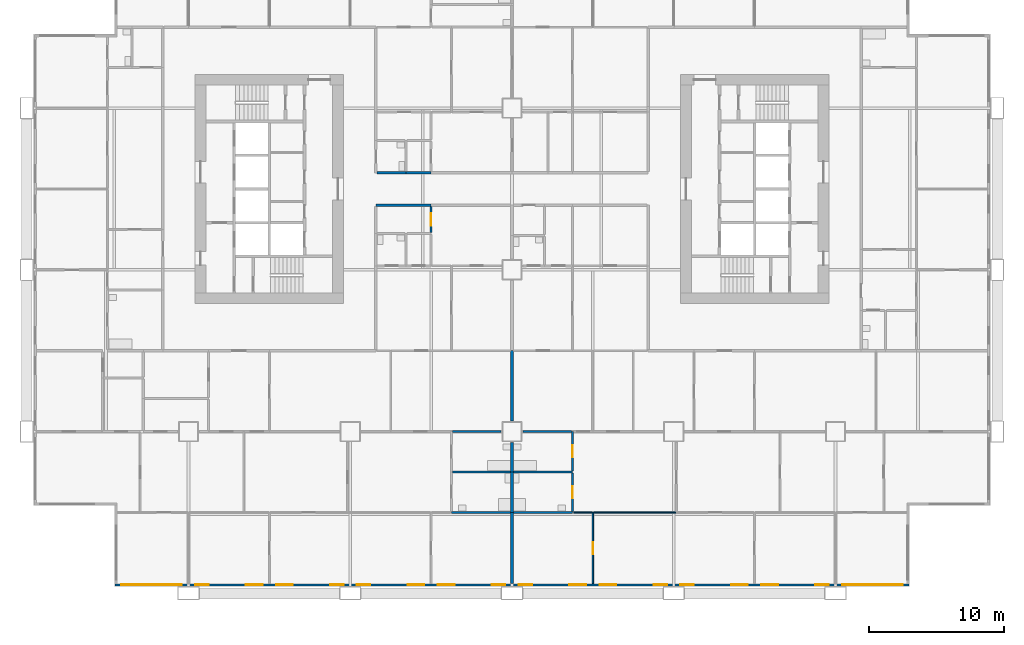
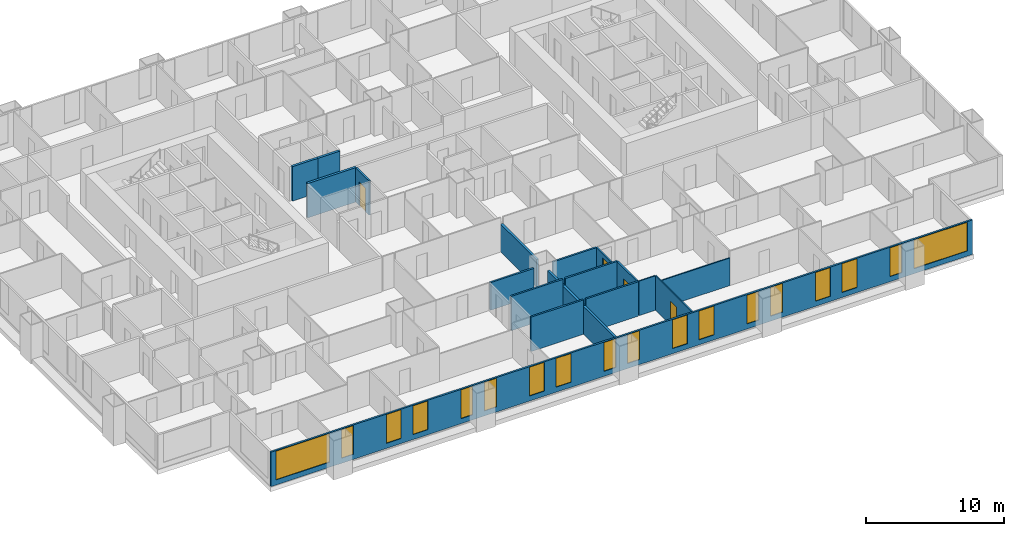
# One storey, part 5 of 14: 20 walls, 18 windows, 4 doors, 22 openings.
"""IFC4 building model written with IfcOpenShell, lengths in metres."""

from ifc_helpers import new_model, si_unit, direction, frame, frame_2d, origin, place, context, subcontext, project, spatial, rectangle, extrude, material, layer, layer_set, type_object, element, fill, save


model = new_model("IFC4")

# Units and contexts
model_context = context("Model", 3, precision=1e-05, world=origin(), true_north=direction((0.0, 1.0)))
body_context = subcontext(model_context, "Body", "Model", "MODEL_VIEW")
ifc_project = project(units=[si_unit("LENGTHUNIT", "METRE"), si_unit("AREAUNIT", "SQUARE_METRE"), si_unit("VOLUMEUNIT", "CUBIC_METRE"), si_unit("PLANEANGLEUNIT", "RADIAN"), si_unit("MASSUNIT", "GRAM", prefix="KILO")], contexts=[model_context])

# Site, building, storey
site_placement = place(None, origin())
site = spatial("IfcSite", under=ifc_project, at=site_placement, CompositionType="ELEMENT")
building_placement = place(site_placement, origin())
building = spatial("IfcBuilding", under=site, at=building_placement, Name="Kitamizu Gate Tower and Museum", CompositionType="ELEMENT")
storey_placement = place(building_placement, frame((0.0, 0.0, 64.5)))
storey = spatial("IfcBuildingStorey", under=building, at=storey_placement, Name="L15", CompositionType="ELEMENT", Elevation=64.5)

# Wall, opening, door
ifc_material_1 = material(Name="Gypsum board on galvanised stud")
ifc_layer_1 = layer(ifc_material_1, 0.10009765625)
ifc_layer_set_1 = layer_set([ifc_layer_1], Name="Gypsum board on galvanised stud")
wall_type_1 = type_object("IfcWallType", Name="Partition 100 NOT RATED", PredefinedType="PARTITIONING", material=ifc_layer_set_1)
wall_1_placement = place(storey_placement, frame((42.0, 0.719970703125, 0.0), z_axis=(0.0, 0.0, 1.0), x_axis=(0.0, 1.0, 0.0)))
wall_1 = element("IfcWall", 1, at=wall_1_placement, inside=storey, type_object=wall_type_1, Name="Partition L15-071", PredefinedType="PARTITIONING", context=body_context, shape_type="SweptSolid", body=[
    extrude(rectangle(XDim=5.280029296875, YDim=0.10009765625, at=frame_2d((2.64013671875, 0.0))), origin(), (0.0, 0.0, 1.0), 3.050048828125),
])
opening_1_placement = place(wall_1_placement, frame((2.18994140625, 0.0, 0.0)))
opening_1 = element("IfcOpeningElement", 2, at=opening_1_placement, cuts=wall_1, Name="Opening L15-032", PredefinedType="OPENING", context=body_context, shape_type="SweptSolid", body=[
    extrude(rectangle(XDim=0.89990234375, YDim=2.10009765625, at=frame_2d((0.449951171875, 1.050048828125))), frame((0.0, 0.06005859375, 0.0), z_axis=(0.0, -1.0, 0.0), x_axis=(1.0, 0.0, 0.0)), (0.0, 0.0, 1.0), 0.1201171875),
])
ifc_material_2 = material(Name="Timber door set", Category="wood")
door_type_1 = type_object("IfcDoorType", Name="Room door 900", OperationType="NOTDEFINED", PredefinedType="DOOR", material=ifc_material_2)
door_1_placement = place(opening_1_placement, origin())
door_1 = element("IfcDoor", 3, at=door_1_placement, inside=storey, type_object=door_type_1, Name="Door L15-032", OperationType="SINGLE_SWING_LEFT", OverallHeight=2.10009765625, OverallWidth=0.89990234375, PredefinedType="DOOR", context=body_context, shape_type="SweptSolid", body=[
    extrude(rectangle(XDim=0.89990234375, YDim=2.10009765625, at=frame_2d((0.449951171875, 1.050048828125))), frame((0.0, 0.02490234375, 0.0), z_axis=(0.0, -1.0, 0.0), x_axis=(1.0, 0.0, 0.0)), (0.0, 0.0, 1.0), 0.050048828125),
])
fill(opening_1, door_1)

# Walls
wall_2_placement = place(storey_placement, frame((41.949951171875, 6.0, 0.0), z_axis=(0.0, 0.0, 1.0), x_axis=(-1.0, 0.0, 0.0)))
element("IfcWall", 4, at=wall_2_placement, inside=storey, type_object=wall_type_1, Name="Partition L15-073", PredefinedType="PARTITIONING", context=body_context, shape_type="SweptSolid", body=[
    extrude(rectangle(XDim=1.375, YDim=0.10009765625, at=frame_2d((0.6875, 0.0))), origin(), (0.0, 0.0, 1.0), 3.050048828125),
])
wall_3_placement = place(storey_placement, frame((48.195068359375, 6.0, 0.0), z_axis=(0.0, 0.0, 1.0), x_axis=(-1.0, 0.0, 0.0)))
element("IfcWall", 5, at=wall_3_placement, inside=storey, type_object=wall_type_1, Name="Partition L15-075", PredefinedType="PARTITIONING", context=body_context, shape_type="SweptSolid", body=[
    extrude(rectangle(XDim=6.14501953125, YDim=0.10009765625, at=frame_2d((3.072509765625, 0.0))), origin(), (0.0, 0.0, 1.0), 2.449951171875),
])
ifc_material_3 = material(Name="Gypsum board on galvanised stud")
ifc_layer_2 = layer(ifc_material_3, 0.14990234375)
ifc_layer_set_2 = layer_set([ifc_layer_2], Name="Gypsum board on galvanised stud")
wall_type_2 = type_object("IfcWallType", Name="Partition 150", PredefinedType="PARTITIONING", material=ifc_layer_set_2)
wall_4_placement = place(storey_placement, frame((35.89990234375, 6.0, 0.0), z_axis=(0.0, 0.0, 1.0), x_axis=(-1.0, 0.0, 0.0)))
element("IfcWall", 6, at=wall_4_placement, inside=storey, type_object=wall_type_2, Name="Partition L15-011", PredefinedType="PARTITIONING", context=body_context, shape_type="SweptSolid", body=[
    extrude(rectangle(XDim=4.39990234375, YDim=0.14990234375, at=frame_2d((2.199951171875, 0.0))), origin(), (0.0, 0.0, 1.0), 3.050048828125),
])
wall_5_placement = place(storey_placement, frame((35.89990234375, 9.0, 0.0), z_axis=(0.0, 0.0, 1.0), x_axis=(-1.0, 0.0, 0.0)))
element("IfcWall", 7, at=wall_5_placement, inside=storey, type_object=wall_type_2, Name="Partition L15-027", PredefinedType="PARTITIONING", context=body_context, shape_type="SweptSolid", body=[
    extrude(rectangle(XDim=4.324951171875, YDim=0.14990234375, at=frame_2d((2.16259765625, 0.0))), origin(), (0.0, 0.0, 1.0), 3.050048828125),
])
wall_6_placement = place(storey_placement, frame((35.199951171875, 12.0, 0.0), z_axis=(0.0, 0.0, 1.0), x_axis=(-1.0, 0.0, 0.0)))
element("IfcWall", 8, at=wall_6_placement, inside=storey, type_object=wall_type_2, Name="Partition L15-029", PredefinedType="PARTITIONING", context=body_context, shape_type="SweptSolid", body=[
    extrude(rectangle(XDim=3.625, YDim=0.14990234375, at=frame_2d((1.8125, 0.0))), origin(), (0.0, 0.0, 1.0), 2.449951171875),
])

# Wall, opening, door
wall_7_placement = place(storey_placement, frame((30.0, 26.77490234375, 0.0), z_axis=(0.0, 0.0, 1.0), x_axis=(0.0, 1.0, 0.0)))
wall_7 = element("IfcWall", 9, at=wall_7_placement, inside=storey, type_object=wall_type_2, Name="Partition L15-065", PredefinedType="PARTITIONING", context=body_context, shape_type="SweptSolid", body=[
    extrude(rectangle(XDim=1.925048828125, YDim=0.14990234375, at=frame_2d((0.96240234375, 0.0))), origin(), (0.0, 0.0, 1.0), 3.050048828125),
])
opening_2_placement = place(wall_7_placement, frame((0.512451171875, 0.0, 0.0)))
opening_2 = element("IfcOpeningElement", 10, at=opening_2_placement, cuts=wall_7, Name="Opening L15-024", PredefinedType="OPENING", context=body_context, shape_type="SweptSolid", body=[
    extrude(rectangle(XDim=0.89990234375, YDim=2.10009765625, at=frame_2d((0.449951171875, 1.050048828125))), frame((0.0, 0.0849609375, 0.0), z_axis=(0.0, -1.0, 0.0), x_axis=(1.0, 0.0, 0.0)), (0.0, 0.0, 1.0), 0.169921875),
])
ifc_material_4 = material(Name="Timber door set", Category="wood")
door_type_2 = type_object("IfcDoorType", Name="Bathroom door 900", OperationType="NOTDEFINED", PredefinedType="DOOR", material=ifc_material_4)
door_2_placement = place(opening_2_placement, origin())
door_2 = element("IfcDoor", 11, at=door_2_placement, inside=storey, type_object=door_type_2, Name="Bathroom door L15-024", OperationType="SINGLE_SWING_LEFT", OverallHeight=2.10009765625, OverallWidth=0.89990234375, PredefinedType="DOOR", context=body_context, shape_type="SweptSolid", body=[
    extrude(rectangle(XDim=0.89990234375, YDim=2.10009765625, at=frame_2d((0.449951171875, 1.050048828125))), frame((0.0, 0.02490234375, 0.0), z_axis=(0.0, -1.0, 0.0), x_axis=(1.0, 0.0, 0.0)), (0.0, 0.0, 1.0), 0.050048828125),
])
fill(opening_2, door_2)

# Walls
for number, where, z_axis, x_axis, name in (
    (12, (40.5, 6.0, 0.0), (0.0, 0.0, 1.0), (-1.0, 0.0, 0.0), "Partition L15-072"),
    (13, (40.5, 9.0, 0.0), (0.0, 0.0, 1.0), (-1.0, 0.0, 0.0), "Partition L15-082"),
):
    element("IfcWall", number, at=place(storey_placement, frame(where, z_axis=z_axis, x_axis=x_axis)), inside=storey, type_object=wall_type_2, Name=name, PredefinedType="PARTITIONING", context=body_context, shape_type="SweptSolid", body=[
        extrude(rectangle(XDim=4.39990234375, YDim=0.14990234375, at=frame_2d((2.199951171875, 0.0))), origin(), (0.0, 0.0, 1.0), 3.050048828125),
    ])

# Wall, opening, door
wall_8_placement = place(storey_placement, frame((40.5, 6.074951171875, 0.0), z_axis=(0.0, 0.0, 1.0), x_axis=(0.0, 1.0, 0.0)))
wall_8 = element("IfcWall", 14, at=wall_8_placement, inside=storey, type_object=wall_type_2, Name="Partition L15-083", PredefinedType="PARTITIONING", context=body_context, shape_type="SweptSolid", body=[
    extrude(rectangle(XDim=2.85009765625, YDim=0.14990234375, at=frame_2d((1.425048828125, 0.0))), origin(), (0.0, 0.0, 1.0), 3.050048828125),
])
opening_3_placement = place(wall_8_placement, frame((0.97509765625, 0.0, 0.0)))
opening_3 = element("IfcOpeningElement", 15, at=opening_3_placement, cuts=wall_8, Name="Opening L15-031", PredefinedType="OPENING", context=body_context, shape_type="SweptSolid", body=[
    extrude(rectangle(XDim=0.89990234375, YDim=2.10009765625, at=frame_2d((0.449951171875, 1.050048828125))), frame((0.0, 0.0849609375, 0.0), z_axis=(0.0, -1.0, 0.0), x_axis=(1.0, 0.0, 0.0)), (0.0, 0.0, 1.0), 0.169921875),
])
door_3_placement = place(opening_3_placement, origin())
door_3 = element("IfcDoor", 16, at=door_3_placement, inside=storey, type_object=door_type_2, Name="Bathroom door L15-031", OperationType="SINGLE_SWING_RIGHT", OverallHeight=2.10009765625, OverallWidth=0.89990234375, PredefinedType="DOOR", context=body_context, shape_type="SweptSolid", body=[
    extrude(rectangle(XDim=0.89990234375, YDim=2.10009765625, at=frame_2d((0.449951171875, 1.050048828125))), frame((0.0, 0.02490234375, 0.0), z_axis=(0.0, -1.0, 0.0), x_axis=(1.0, 0.0, 0.0)), (0.0, 0.0, 1.0), 0.050048828125),
])
fill(opening_3, door_3)

wall_9_placement = place(storey_placement, frame((40.5, 9.074951171875, 0.0), z_axis=(0.0, 0.0, 1.0), x_axis=(0.0, 1.0, 0.0)))
wall_9 = element("IfcWall", 17, at=wall_9_placement, inside=storey, type_object=wall_type_2, Name="Partition L15-084", PredefinedType="PARTITIONING", context=body_context, shape_type="SweptSolid", body=[
    extrude(rectangle(XDim=2.925048828125, YDim=0.14990234375, at=frame_2d((1.46240234375, 0.0))), origin(), (0.0, 0.0, 1.0), 2.449951171875),
])
opening_4_placement = place(wall_9_placement, frame((1.012451171875, 0.0, 0.0)))
opening_4 = element("IfcOpeningElement", 18, at=opening_4_placement, cuts=wall_9, Name="Opening L15-035", PredefinedType="OPENING", context=body_context, shape_type="SweptSolid", body=[
    extrude(rectangle(XDim=0.89990234375, YDim=2.10009765625, at=frame_2d((0.449951171875, 1.050048828125))), frame((0.0, 0.0849609375, 0.0), z_axis=(0.0, -1.0, 0.0), x_axis=(1.0, 0.0, 0.0)), (0.0, 0.0, 1.0), 0.169921875),
])
door_4_placement = place(opening_4_placement, origin())
door_4 = element("IfcDoor", 19, at=door_4_placement, inside=storey, type_object=door_type_2, Name="Bathroom door L15-035", OperationType="SINGLE_SWING_LEFT", OverallHeight=2.10009765625, OverallWidth=0.89990234375, PredefinedType="DOOR", context=body_context, shape_type="SweptSolid", body=[
    extrude(rectangle(XDim=0.89990234375, YDim=2.10009765625, at=frame_2d((0.449951171875, 1.050048828125))), frame((0.0, 0.02490234375, 0.0), z_axis=(0.0, -1.0, 0.0), x_axis=(1.0, 0.0, 0.0)), (0.0, 0.0, 1.0), 0.050048828125),
])
fill(opening_4, door_4)

# Walls
wall_10_placement = place(storey_placement, frame((40.425048828125, 12.0, 0.0), z_axis=(0.0, 0.0, 1.0), x_axis=(-1.0, 0.0, 0.0)))
element("IfcWall", 20, at=wall_10_placement, inside=storey, type_object=wall_type_2, Name="Partition L15-085", PredefinedType="PARTITIONING", context=body_context, shape_type="SweptSolid", body=[
    extrude(rectangle(XDim=3.625, YDim=0.14990234375, at=frame_2d((1.8125, 0.0))), origin(), (0.0, 0.0, 1.0), 2.449951171875),
])
ifc_material_5 = material(Name="Gypsum board on galvanised stud")
ifc_layer_3 = layer(ifc_material_5, 0.199951171875)
ifc_layer_set_3 = layer_set([ifc_layer_3], Name="Gypsum board on galvanised stud")
wall_type_3 = type_object("IfcWallType", Name="Partition 200", PredefinedType="PARTITIONING", material=ifc_layer_set_3)
wall_11_placement = place(storey_placement, frame((36.0, 0.719970703125, 0.0), z_axis=(0.0, 0.0, 1.0), x_axis=(0.0, 1.0, 0.0)))
element("IfcWall", 21, at=wall_11_placement, inside=storey, type_object=wall_type_3, Name="Partition L15-012", PredefinedType="PARTITIONING", context=body_context, shape_type="SweptSolid", body=[
    extrude(rectangle(XDim=5.280029296875, YDim=0.199951171875, at=frame_2d((2.64013671875, 0.0))), origin(), (0.0, 0.0, 1.0), 2.449951171875),
])
wall_12_placement = place(storey_placement, frame((36.0, 6.0, 0.0), z_axis=(0.0, 0.0, 1.0), x_axis=(0.0, 1.0, 0.0)))
element("IfcWall", 22, at=wall_12_placement, inside=storey, type_object=wall_type_3, Name="Partition L15-028", PredefinedType="PARTITIONING", context=body_context, shape_type="SweptSolid", body=[
    extrude(rectangle(XDim=3.0, YDim=0.199951171875, at=frame_2d((1.5, 0.0))), origin(), (0.0, 0.0, 1.0), 2.449951171875),
])
wall_13_placement = place(storey_placement, frame((36.0, 9.0, 0.0), z_axis=(0.0, 0.0, 1.0), x_axis=(0.0, 1.0, 0.0)))
element("IfcWall", 23, at=wall_13_placement, inside=storey, type_object=wall_type_3, Name="Partition L15-030", PredefinedType="PARTITIONING", context=body_context, shape_type="SweptSolid", body=[
    extrude(rectangle(XDim=2.199951171875, YDim=0.199951171875, at=frame_2d((1.10009765625, 0.0))), origin(), (0.0, 0.0, 1.0), 2.449951171875),
])
wall_14_placement = place(storey_placement, frame((36.0, 12.800048828125, 0.0), z_axis=(0.0, 0.0, 1.0), x_axis=(0.0, 1.0, 0.0)))
element("IfcWall", 24, at=wall_14_placement, inside=storey, type_object=wall_type_3, Name="Partition L15-051", PredefinedType="PARTITIONING", context=body_context, shape_type="SweptSolid", body=[
    extrude(rectangle(XDim=5.199951171875, YDim=0.199951171875, at=frame_2d((2.60009765625, 0.0))), origin(), (0.0, 0.0, 1.0), 2.449951171875),
])
wall_15_placement = place(storey_placement, frame((30.0, 28.800048828125, 0.0), z_axis=(0.0, 0.0, 1.0), x_axis=(-1.0, 0.0, 0.0)))
element("IfcWall", 25, at=wall_15_placement, inside=storey, type_object=wall_type_3, Name="Partition L15-066", PredefinedType="PARTITIONING", context=body_context, shape_type="SweptSolid", body=[
    extrude(rectangle(XDim=4.10009765625, YDim=0.199951171875, at=frame_2d((2.050048828125, 0.0))), origin(), (0.0, 0.0, 1.0), 3.050048828125),
])
wall_16_placement = place(storey_placement, frame((26.0, 31.199951171875, 0.0), z_axis=(0.0, 0.0, 1.0), x_axis=(1.0, 0.0, 0.0)))
element("IfcWall", 26, at=wall_16_placement, inside=storey, type_object=wall_type_3, Name="Partition L15-186", PredefinedType="PARTITIONING", context=body_context, shape_type="SweptSolid", body=[
    extrude(rectangle(XDim=2.14990234375, YDim=0.199951171875, at=frame_2d((1.074951171875, 0.0))), origin(), (0.0, 0.0, 1.0), 3.050048828125),
])
wall_17_placement = place(storey_placement, frame((28.14990234375, 31.199951171875, 0.0), z_axis=(0.0, 0.0, 1.0), x_axis=(1.0, 0.0, 0.0)))
element("IfcWall", 27, at=wall_17_placement, inside=storey, type_object=wall_type_3, Name="Partition L15-189", PredefinedType="PARTITIONING", context=body_context, shape_type="SweptSolid", body=[
    extrude(rectangle(XDim=1.85009765625, YDim=0.199951171875, at=frame_2d((0.925048828125, 0.0))), origin(), (0.0, 0.0, 1.0), 3.050048828125),
])

# Wall, openings, windows
ifc_material_6 = material(Name="Bronze anodised aluminium frame with insulated spandrel and tinted glass", Category="aluminium")
ifc_layer_4 = layer(ifc_material_6, 0.14990234375)
ifc_layer_set_4 = layer_set([ifc_layer_4], Name="Bronze anodised aluminium frame with insulated spandrel and tinted glass")
wall_type_4 = type_object("IfcWallType", Name="WINDOW WALL 150 BRONZE FRAME EI 30", PredefinedType="ELEMENTEDWALL", material=ifc_layer_set_4)
wall_18_placement = place(storey_placement, frame((6.56005859375, 0.635009765625, 0.0), z_axis=(0.0, 0.0, 1.0), x_axis=(1.0, 0.0, 0.0)))
wall_18 = element("IfcWall", 28, at=wall_18_placement, inside=storey, type_object=wall_type_4, Name="Window wall south L15", PredefinedType="ELEMENTEDWALL", context=body_context, shape_type="SweptSolid", body=[
    extrude(rectangle(XDim=58.8798828125, YDim=0.14990234375, at=frame_2d((29.43994140625, 0.0))), origin(), (0.0, 0.0, 1.0), 3.050048828125),
])
opening_5_placement = place(wall_18_placement, frame((0.43994140625, 0.0, 0.449951171875)))
opening_5 = element("IfcOpeningElement", 29, at=opening_5_placement, cuts=wall_18, Name="Opening W15", PredefinedType="OPENING", context=body_context, shape_type="SweptSolid", body=[
    extrude(rectangle(XDim=4.5, YDim=2.550048828125, at=frame_2d((2.25, 1.27490234375))), frame((0.0, 0.0849609375, 0.0), z_axis=(0.0, -1.0, 0.0), x_axis=(1.0, 0.0, 0.0)), (0.0, 0.0, 1.0), 0.169921875),
])
opening_6_placement = place(wall_18_placement, frame((5.93994140625, 0.0, 0.449951171875)))
opening_6 = element("IfcOpeningElement", 30, at=opening_6_placement, cuts=wall_18, Name="Opening W26", PredefinedType="OPENING", context=body_context, shape_type="SweptSolid", body=[
    extrude(rectangle(XDim=1.0, YDim=2.550048828125, at=frame_2d((0.5, 1.27490234375))), frame((0.0, 0.0849609375, 0.0), z_axis=(0.0, -1.0, 0.0), x_axis=(1.0, 0.0, 0.0)), (0.0, 0.0, 1.0), 0.169921875),
])
opening_7_placement = place(wall_18_placement, frame((9.68994140625, 0.0, 0.449951171875)))
opening_7 = element("IfcOpeningElement", 31, at=opening_7_placement, cuts=wall_18, Name="Opening W27", PredefinedType="OPENING", context=body_context, shape_type="SweptSolid", body=[
    extrude(rectangle(XDim=1.25, YDim=2.550048828125, at=frame_2d((0.625, 1.27490234375))), frame((0.0, 0.0849609375, 0.0), z_axis=(0.0, -1.0, 0.0), x_axis=(1.0, 0.0, 0.0)), (0.0, 0.0, 1.0), 0.169921875),
])
opening_8_placement = place(wall_18_placement, frame((11.93994140625, 0.0, 0.449951171875)))
opening_8 = element("IfcOpeningElement", 32, at=opening_8_placement, cuts=wall_18, Name="Opening W27", PredefinedType="OPENING", context=body_context, shape_type="SweptSolid", body=[
    extrude(rectangle(XDim=1.25, YDim=2.550048828125, at=frame_2d((0.625, 1.27490234375))), frame((0.0, 0.0849609375, 0.0), z_axis=(0.0, -1.0, 0.0), x_axis=(1.0, 0.0, 0.0)), (0.0, 0.0, 1.0), 0.169921875),
])
opening_9_placement = place(wall_18_placement, frame((15.93994140625, 0.0, 0.449951171875)))
opening_9 = element("IfcOpeningElement", 33, at=opening_9_placement, cuts=wall_18, Name="Opening W26", PredefinedType="OPENING", context=body_context, shape_type="SweptSolid", body=[
    extrude(rectangle(XDim=1.0, YDim=2.550048828125, at=frame_2d((0.5, 1.27490234375))), frame((0.0, 0.0849609375, 0.0), z_axis=(0.0, -1.0, 0.0), x_axis=(1.0, 0.0, 0.0)), (0.0, 0.0, 1.0), 0.169921875),
])
opening_10_placement = place(wall_18_placement, frame((17.93994140625, 0.0, 0.449951171875)))
opening_10 = element("IfcOpeningElement", 34, at=opening_10_placement, cuts=wall_18, Name="Opening W26", PredefinedType="OPENING", context=body_context, shape_type="SweptSolid", body=[
    extrude(rectangle(XDim=1.0, YDim=2.550048828125, at=frame_2d((0.5, 1.27490234375))), frame((0.0, 0.0849609375, 0.0), z_axis=(0.0, -1.0, 0.0), x_axis=(1.0, 0.0, 0.0)), (0.0, 0.0, 1.0), 0.169921875),
])
opening_11_placement = place(wall_18_placement, frame((21.68994140625, 0.0, 0.449951171875)))
opening_11 = element("IfcOpeningElement", 35, at=opening_11_placement, cuts=wall_18, Name="Opening W27", PredefinedType="OPENING", context=body_context, shape_type="SweptSolid", body=[
    extrude(rectangle(XDim=1.25, YDim=2.550048828125, at=frame_2d((0.625, 1.27490234375))), frame((0.0, 0.0849609375, 0.0), z_axis=(0.0, -1.0, 0.0), x_axis=(1.0, 0.0, 0.0)), (0.0, 0.0, 1.0), 0.169921875),
])
opening_12_placement = place(wall_18_placement, frame((23.93994140625, 0.0, 0.449951171875)))
opening_12 = element("IfcOpeningElement", 36, at=opening_12_placement, cuts=wall_18, Name="Opening W27", PredefinedType="OPENING", context=body_context, shape_type="SweptSolid", body=[
    extrude(rectangle(XDim=1.25, YDim=2.550048828125, at=frame_2d((0.625, 1.27490234375))), frame((0.0, 0.0849609375, 0.0), z_axis=(0.0, -1.0, 0.0), x_axis=(1.0, 0.0, 0.0)), (0.0, 0.0, 1.0), 0.169921875),
])
opening_13_placement = place(wall_18_placement, frame((27.93994140625, 0.0, 0.449951171875)))
opening_13 = element("IfcOpeningElement", 37, at=opening_13_placement, cuts=wall_18, Name="Opening W26", PredefinedType="OPENING", context=body_context, shape_type="SweptSolid", body=[
    extrude(rectangle(XDim=1.0, YDim=2.550048828125, at=frame_2d((0.5, 1.27490234375))), frame((0.0, 0.0849609375, 0.0), z_axis=(0.0, -1.0, 0.0), x_axis=(1.0, 0.0, 0.0)), (0.0, 0.0, 1.0), 0.169921875),
])
opening_14_placement = place(wall_18_placement, frame((29.93994140625, 0.0, 0.449951171875)))
opening_14 = element("IfcOpeningElement", 38, at=opening_14_placement, cuts=wall_18, Name="Opening W26", PredefinedType="OPENING", context=body_context, shape_type="SweptSolid", body=[
    extrude(rectangle(XDim=1.0, YDim=2.550048828125, at=frame_2d((0.5, 1.27490234375))), frame((0.0, 0.0849609375, 0.0), z_axis=(0.0, -1.0, 0.0), x_axis=(1.0, 0.0, 0.0)), (0.0, 0.0, 1.0), 0.169921875),
])
opening_15_placement = place(wall_18_placement, frame((33.68994140625, 0.0, 0.449951171875)))
opening_15 = element("IfcOpeningElement", 39, at=opening_15_placement, cuts=wall_18, Name="Opening W27", PredefinedType="OPENING", context=body_context, shape_type="SweptSolid", body=[
    extrude(rectangle(XDim=1.25, YDim=2.550048828125, at=frame_2d((0.625, 1.27490234375))), frame((0.0, 0.0849609375, 0.0), z_axis=(0.0, -1.0, 0.0), x_axis=(1.0, 0.0, 0.0)), (0.0, 0.0, 1.0), 0.169921875),
])
opening_16_placement = place(wall_18_placement, frame((35.93994140625, 0.0, 0.449951171875)))
opening_16 = element("IfcOpeningElement", 40, at=opening_16_placement, cuts=wall_18, Name="Opening W27", PredefinedType="OPENING", context=body_context, shape_type="SweptSolid", body=[
    extrude(rectangle(XDim=1.25, YDim=2.550048828125, at=frame_2d((0.625, 1.27490234375))), frame((0.0, 0.0849609375, 0.0), z_axis=(0.0, -1.0, 0.0), x_axis=(1.0, 0.0, 0.0)), (0.0, 0.0, 1.0), 0.169921875),
])
opening_17_placement = place(wall_18_placement, frame((39.93994140625, 0.0, 0.449951171875)))
opening_17 = element("IfcOpeningElement", 41, at=opening_17_placement, cuts=wall_18, Name="Opening W26", PredefinedType="OPENING", context=body_context, shape_type="SweptSolid", body=[
    extrude(rectangle(XDim=1.0, YDim=2.550048828125, at=frame_2d((0.5, 1.27490234375))), frame((0.0, 0.0849609375, 0.0), z_axis=(0.0, -1.0, 0.0), x_axis=(1.0, 0.0, 0.0)), (0.0, 0.0, 1.0), 0.169921875),
])
opening_18_placement = place(wall_18_placement, frame((41.93994140625, 0.0, 0.449951171875)))
opening_18 = element("IfcOpeningElement", 42, at=opening_18_placement, cuts=wall_18, Name="Opening W26", PredefinedType="OPENING", context=body_context, shape_type="SweptSolid", body=[
    extrude(rectangle(XDim=1.0, YDim=2.550048828125, at=frame_2d((0.5, 1.27490234375))), frame((0.0, 0.0849609375, 0.0), z_axis=(0.0, -1.0, 0.0), x_axis=(1.0, 0.0, 0.0)), (0.0, 0.0, 1.0), 0.169921875),
])
opening_19_placement = place(wall_18_placement, frame((45.68994140625, 0.0, 0.449951171875)))
opening_19 = element("IfcOpeningElement", 43, at=opening_19_placement, cuts=wall_18, Name="Opening W27", PredefinedType="OPENING", context=body_context, shape_type="SweptSolid", body=[
    extrude(rectangle(XDim=1.25, YDim=2.550048828125, at=frame_2d((0.625, 1.27490234375))), frame((0.0, 0.0849609375, 0.0), z_axis=(0.0, -1.0, 0.0), x_axis=(1.0, 0.0, 0.0)), (0.0, 0.0, 1.0), 0.169921875),
])
opening_20_placement = place(wall_18_placement, frame((47.93994140625, 0.0, 0.449951171875)))
opening_20 = element("IfcOpeningElement", 44, at=opening_20_placement, cuts=wall_18, Name="Opening W27", PredefinedType="OPENING", context=body_context, shape_type="SweptSolid", body=[
    extrude(rectangle(XDim=1.25, YDim=2.550048828125, at=frame_2d((0.625, 1.27490234375))), frame((0.0, 0.0849609375, 0.0), z_axis=(0.0, -1.0, 0.0), x_axis=(1.0, 0.0, 0.0)), (0.0, 0.0, 1.0), 0.169921875),
])
opening_21_placement = place(wall_18_placement, frame((51.93994140625, 0.0, 0.449951171875)))
opening_21 = element("IfcOpeningElement", 45, at=opening_21_placement, cuts=wall_18, Name="Opening W26", PredefinedType="OPENING", context=body_context, shape_type="SweptSolid", body=[
    extrude(rectangle(XDim=1.0, YDim=2.550048828125, at=frame_2d((0.5, 1.27490234375))), frame((0.0, 0.0849609375, 0.0), z_axis=(0.0, -1.0, 0.0), x_axis=(1.0, 0.0, 0.0)), (0.0, 0.0, 1.0), 0.169921875),
])
opening_22_placement = place(wall_18_placement, frame((53.93994140625, 0.0, 0.449951171875)))
opening_22 = element("IfcOpeningElement", 46, at=opening_22_placement, cuts=wall_18, Name="Opening W15", PredefinedType="OPENING", context=body_context, shape_type="SweptSolid", body=[
    extrude(rectangle(XDim=4.5, YDim=2.550048828125, at=frame_2d((2.25, 1.27490234375))), frame((0.0, 0.0849609375, 0.0), z_axis=(0.0, -1.0, 0.0), x_axis=(1.0, 0.0, 0.0)), (0.0, 0.0, 1.0), 0.169921875),
])
ifc_material_7 = material(Name="Bronze anodised aluminium frame, tinted triple glazing", Category="aluminium")
window_type_1 = type_object("IfcWindowType", Name="WINDOW 1000 x 2550 SILL 450", PartitioningType="SINGLE_PANEL", PredefinedType="WINDOW", material=ifc_material_7)
window_1_placement = place(opening_6_placement, origin())
window_1 = element("IfcWindow", 47, at=window_1_placement, inside=storey, type_object=window_type_1, Name="Window W26 L15", OverallHeight=2.550048828125, OverallWidth=1.0, PartitioningType="SINGLE_PANEL", PredefinedType="WINDOW", context=body_context, shape_type="SweptSolid", body=[
    extrude(rectangle(XDim=1.0, YDim=2.550048828125, at=frame_2d((0.5, 1.27490234375))), frame((0.0, 0.030029296875, 0.0), z_axis=(0.0, -1.0, 0.0), x_axis=(1.0, 0.0, 0.0)), (0.0, 0.0, 1.0), 0.06005859375),
])
fill(opening_6, window_1)
window_2_placement = place(opening_9_placement, origin())
window_2 = element("IfcWindow", 48, at=window_2_placement, inside=storey, type_object=window_type_1, Name="Window W26 L15", OverallHeight=2.550048828125, OverallWidth=1.0, PartitioningType="SINGLE_PANEL", PredefinedType="WINDOW", context=body_context, shape_type="SweptSolid", body=[
    extrude(rectangle(XDim=1.0, YDim=2.550048828125, at=frame_2d((0.5, 1.27490234375))), frame((0.0, 0.030029296875, 0.0), z_axis=(0.0, -1.0, 0.0), x_axis=(1.0, 0.0, 0.0)), (0.0, 0.0, 1.0), 0.06005859375),
])
fill(opening_9, window_2)
window_3_placement = place(opening_10_placement, origin())
window_3 = element("IfcWindow", 49, at=window_3_placement, inside=storey, type_object=window_type_1, Name="Window W26 L15", OverallHeight=2.550048828125, OverallWidth=1.0, PartitioningType="SINGLE_PANEL", PredefinedType="WINDOW", context=body_context, shape_type="SweptSolid", body=[
    extrude(rectangle(XDim=1.0, YDim=2.550048828125, at=frame_2d((0.5, 1.27490234375))), frame((0.0, 0.030029296875, 0.0), z_axis=(0.0, -1.0, 0.0), x_axis=(1.0, 0.0, 0.0)), (0.0, 0.0, 1.0), 0.06005859375),
])
fill(opening_10, window_3)
window_4_placement = place(opening_13_placement, origin())
window_4 = element("IfcWindow", 50, at=window_4_placement, inside=storey, type_object=window_type_1, Name="Window W26 L15", OverallHeight=2.550048828125, OverallWidth=1.0, PartitioningType="SINGLE_PANEL", PredefinedType="WINDOW", context=body_context, shape_type="SweptSolid", body=[
    extrude(rectangle(XDim=1.0, YDim=2.550048828125, at=frame_2d((0.5, 1.27490234375))), frame((0.0, 0.030029296875, 0.0), z_axis=(0.0, -1.0, 0.0), x_axis=(1.0, 0.0, 0.0)), (0.0, 0.0, 1.0), 0.06005859375),
])
fill(opening_13, window_4)
window_5_placement = place(opening_14_placement, origin())
window_5 = element("IfcWindow", 51, at=window_5_placement, inside=storey, type_object=window_type_1, Name="Window W26 L15", OverallHeight=2.550048828125, OverallWidth=1.0, PartitioningType="SINGLE_PANEL", PredefinedType="WINDOW", context=body_context, shape_type="SweptSolid", body=[
    extrude(rectangle(XDim=1.0, YDim=2.550048828125, at=frame_2d((0.5, 1.27490234375))), frame((0.0, 0.030029296875, 0.0), z_axis=(0.0, -1.0, 0.0), x_axis=(1.0, 0.0, 0.0)), (0.0, 0.0, 1.0), 0.06005859375),
])
fill(opening_14, window_5)
window_6_placement = place(opening_17_placement, origin())
window_6 = element("IfcWindow", 52, at=window_6_placement, inside=storey, type_object=window_type_1, Name="Window W26 L15", OverallHeight=2.550048828125, OverallWidth=1.0, PartitioningType="SINGLE_PANEL", PredefinedType="WINDOW", context=body_context, shape_type="SweptSolid", body=[
    extrude(rectangle(XDim=1.0, YDim=2.550048828125, at=frame_2d((0.5, 1.27490234375))), frame((0.0, 0.030029296875, 0.0), z_axis=(0.0, -1.0, 0.0), x_axis=(1.0, 0.0, 0.0)), (0.0, 0.0, 1.0), 0.06005859375),
])
fill(opening_17, window_6)
window_7_placement = place(opening_18_placement, origin())
window_7 = element("IfcWindow", 53, at=window_7_placement, inside=storey, type_object=window_type_1, Name="Window W26 L15", OverallHeight=2.550048828125, OverallWidth=1.0, PartitioningType="SINGLE_PANEL", PredefinedType="WINDOW", context=body_context, shape_type="SweptSolid", body=[
    extrude(rectangle(XDim=1.0, YDim=2.550048828125, at=frame_2d((0.5, 1.27490234375))), frame((0.0, 0.030029296875, 0.0), z_axis=(0.0, -1.0, 0.0), x_axis=(1.0, 0.0, 0.0)), (0.0, 0.0, 1.0), 0.06005859375),
])
fill(opening_18, window_7)
window_8_placement = place(opening_21_placement, origin())
window_8 = element("IfcWindow", 54, at=window_8_placement, inside=storey, type_object=window_type_1, Name="Window W26 L15", OverallHeight=2.550048828125, OverallWidth=1.0, PartitioningType="SINGLE_PANEL", PredefinedType="WINDOW", context=body_context, shape_type="SweptSolid", body=[
    extrude(rectangle(XDim=1.0, YDim=2.550048828125, at=frame_2d((0.5, 1.27490234375))), frame((0.0, 0.030029296875, 0.0), z_axis=(0.0, -1.0, 0.0), x_axis=(1.0, 0.0, 0.0)), (0.0, 0.0, 1.0), 0.06005859375),
])
fill(opening_21, window_8)
ifc_material_8 = material(Name="Bronze anodised aluminium frame, tinted triple glazing", Category="aluminium")
window_type_2 = type_object("IfcWindowType", Name="WINDOW 1250 x 2550 SILL 450", PartitioningType="SINGLE_PANEL", PredefinedType="WINDOW", material=ifc_material_8)
window_9_placement = place(opening_7_placement, origin())
window_9 = element("IfcWindow", 55, at=window_9_placement, inside=storey, type_object=window_type_2, Name="Window W27 L15", OverallHeight=2.550048828125, OverallWidth=1.25, PartitioningType="SINGLE_PANEL", PredefinedType="WINDOW", context=body_context, shape_type="SweptSolid", body=[
    extrude(rectangle(XDim=1.25, YDim=2.550048828125, at=frame_2d((0.625, 1.27490234375))), frame((0.0, 0.030029296875, 0.0), z_axis=(0.0, -1.0, 0.0), x_axis=(1.0, 0.0, 0.0)), (0.0, 0.0, 1.0), 0.06005859375),
])
fill(opening_7, window_9)
window_10_placement = place(opening_8_placement, origin())
window_10 = element("IfcWindow", 56, at=window_10_placement, inside=storey, type_object=window_type_2, Name="Window W27 L15", OverallHeight=2.550048828125, OverallWidth=1.25, PartitioningType="SINGLE_PANEL", PredefinedType="WINDOW", context=body_context, shape_type="SweptSolid", body=[
    extrude(rectangle(XDim=1.25, YDim=2.550048828125, at=frame_2d((0.625, 1.27490234375))), frame((0.0, 0.030029296875, 0.0), z_axis=(0.0, -1.0, 0.0), x_axis=(1.0, 0.0, 0.0)), (0.0, 0.0, 1.0), 0.06005859375),
])
fill(opening_8, window_10)
window_11_placement = place(opening_11_placement, origin())
window_11 = element("IfcWindow", 57, at=window_11_placement, inside=storey, type_object=window_type_2, Name="Window W27 L15", OverallHeight=2.550048828125, OverallWidth=1.25, PartitioningType="SINGLE_PANEL", PredefinedType="WINDOW", context=body_context, shape_type="SweptSolid", body=[
    extrude(rectangle(XDim=1.25, YDim=2.550048828125, at=frame_2d((0.625, 1.27490234375))), frame((0.0, 0.030029296875, 0.0), z_axis=(0.0, -1.0, 0.0), x_axis=(1.0, 0.0, 0.0)), (0.0, 0.0, 1.0), 0.06005859375),
])
fill(opening_11, window_11)
window_12_placement = place(opening_12_placement, origin())
window_12 = element("IfcWindow", 58, at=window_12_placement, inside=storey, type_object=window_type_2, Name="Window W27 L15", OverallHeight=2.550048828125, OverallWidth=1.25, PartitioningType="SINGLE_PANEL", PredefinedType="WINDOW", context=body_context, shape_type="SweptSolid", body=[
    extrude(rectangle(XDim=1.25, YDim=2.550048828125, at=frame_2d((0.625, 1.27490234375))), frame((0.0, 0.030029296875, 0.0), z_axis=(0.0, -1.0, 0.0), x_axis=(1.0, 0.0, 0.0)), (0.0, 0.0, 1.0), 0.06005859375),
])
fill(opening_12, window_12)
window_13_placement = place(opening_15_placement, origin())
window_13 = element("IfcWindow", 59, at=window_13_placement, inside=storey, type_object=window_type_2, Name="Window W27 L15", OverallHeight=2.550048828125, OverallWidth=1.25, PartitioningType="SINGLE_PANEL", PredefinedType="WINDOW", context=body_context, shape_type="SweptSolid", body=[
    extrude(rectangle(XDim=1.25, YDim=2.550048828125, at=frame_2d((0.625, 1.27490234375))), frame((0.0, 0.030029296875, 0.0), z_axis=(0.0, -1.0, 0.0), x_axis=(1.0, 0.0, 0.0)), (0.0, 0.0, 1.0), 0.06005859375),
])
fill(opening_15, window_13)
window_14_placement = place(opening_16_placement, origin())
window_14 = element("IfcWindow", 60, at=window_14_placement, inside=storey, type_object=window_type_2, Name="Window W27 L15", OverallHeight=2.550048828125, OverallWidth=1.25, PartitioningType="SINGLE_PANEL", PredefinedType="WINDOW", context=body_context, shape_type="SweptSolid", body=[
    extrude(rectangle(XDim=1.25, YDim=2.550048828125, at=frame_2d((0.625, 1.27490234375))), frame((0.0, 0.030029296875, 0.0), z_axis=(0.0, -1.0, 0.0), x_axis=(1.0, 0.0, 0.0)), (0.0, 0.0, 1.0), 0.06005859375),
])
fill(opening_16, window_14)
window_15_placement = place(opening_19_placement, origin())
window_15 = element("IfcWindow", 61, at=window_15_placement, inside=storey, type_object=window_type_2, Name="Window W27 L15", OverallHeight=2.550048828125, OverallWidth=1.25, PartitioningType="SINGLE_PANEL", PredefinedType="WINDOW", context=body_context, shape_type="SweptSolid", body=[
    extrude(rectangle(XDim=1.25, YDim=2.550048828125, at=frame_2d((0.625, 1.27490234375))), frame((0.0, 0.030029296875, 0.0), z_axis=(0.0, -1.0, 0.0), x_axis=(1.0, 0.0, 0.0)), (0.0, 0.0, 1.0), 0.06005859375),
])
fill(opening_19, window_15)
window_16_placement = place(opening_20_placement, origin())
window_16 = element("IfcWindow", 62, at=window_16_placement, inside=storey, type_object=window_type_2, Name="Window W27 L15", OverallHeight=2.550048828125, OverallWidth=1.25, PartitioningType="SINGLE_PANEL", PredefinedType="WINDOW", context=body_context, shape_type="SweptSolid", body=[
    extrude(rectangle(XDim=1.25, YDim=2.550048828125, at=frame_2d((0.625, 1.27490234375))), frame((0.0, 0.030029296875, 0.0), z_axis=(0.0, -1.0, 0.0), x_axis=(1.0, 0.0, 0.0)), (0.0, 0.0, 1.0), 0.06005859375),
])
fill(opening_20, window_16)
ifc_material_9 = material(Name="Bronze anodised aluminium frame, tinted triple glazing", Category="aluminium")
window_type_3 = type_object("IfcWindowType", Name="WINDOW 4500 x 2550 SILL 450", PartitioningType="SINGLE_PANEL", PredefinedType="WINDOW", material=ifc_material_9)
window_17_placement = place(opening_5_placement, origin())
window_17 = element("IfcWindow", 63, at=window_17_placement, inside=storey, type_object=window_type_3, Name="Window W15 L15", OverallHeight=2.550048828125, OverallWidth=4.5, PartitioningType="SINGLE_PANEL", PredefinedType="WINDOW", context=body_context, shape_type="SweptSolid", body=[
    extrude(rectangle(XDim=4.5, YDim=2.550048828125, at=frame_2d((2.25, 1.27490234375))), frame((0.0, 0.030029296875, 0.0), z_axis=(0.0, -1.0, 0.0), x_axis=(1.0, 0.0, 0.0)), (0.0, 0.0, 1.0), 0.06005859375),
])
fill(opening_5, window_17)
window_18_placement = place(opening_22_placement, origin())
window_18 = element("IfcWindow", 64, at=window_18_placement, inside=storey, type_object=window_type_3, Name="Window W15 L15", OverallHeight=2.550048828125, OverallWidth=4.5, PartitioningType="SINGLE_PANEL", PredefinedType="WINDOW", context=body_context, shape_type="SweptSolid", body=[
    extrude(rectangle(XDim=4.5, YDim=2.550048828125, at=frame_2d((2.25, 1.27490234375))), frame((0.0, 0.030029296875, 0.0), z_axis=(0.0, -1.0, 0.0), x_axis=(1.0, 0.0, 0.0)), (0.0, 0.0, 1.0), 0.06005859375),
])
fill(opening_22, window_18)

save(model, "model.ifc")
